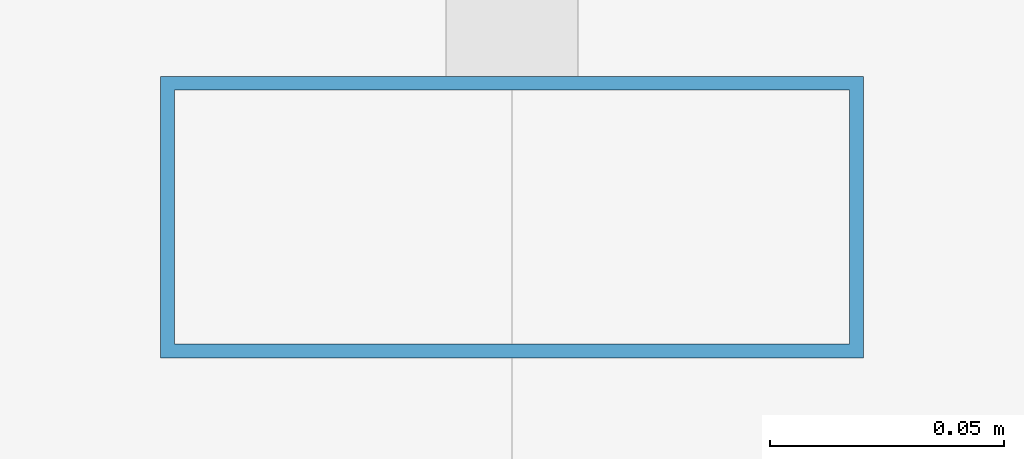
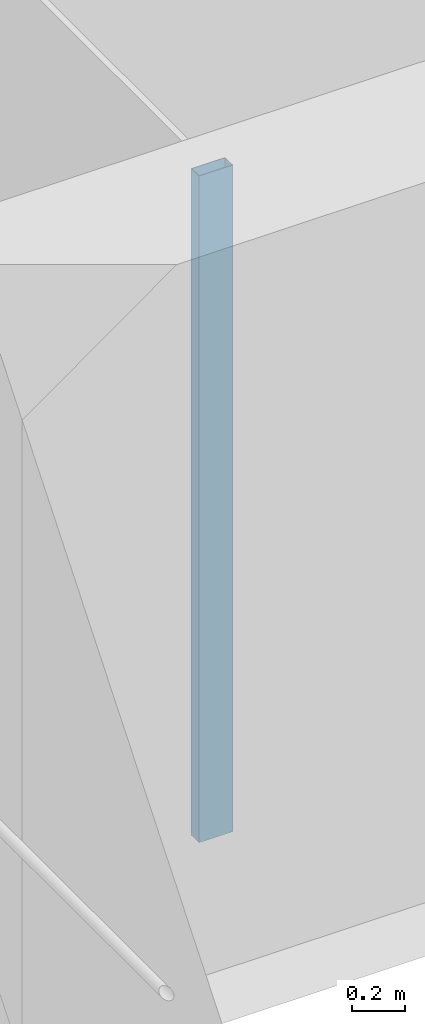
# One storey, part 11 of 46: 1 member, 1 element without a shape of its own.
"""IFC4 building model written with IfcOpenShell, lengths in metres."""

from ifc_helpers import new_model, si_unit, direction, frame, origin, origin_2d, place, context, subcontext, project, spatial, hollow_rectangle, extrude, material, material_profile, profile_set, type_object, element, aggregate, save


model = new_model("IFC4")

# Units and contexts
model_context = context("Model", 3, precision=1e-05, world=origin(), true_north=direction((0.0, 1.0)))
body_context = subcontext(model_context, "Body", "Model", "MODEL_VIEW")
ifc_project = project(units=[si_unit("LENGTHUNIT", "METRE"), si_unit("AREAUNIT", "SQUARE_METRE"), si_unit("VOLUMEUNIT", "CUBIC_METRE"), si_unit("PLANEANGLEUNIT", "RADIAN"), si_unit("MASSUNIT", "GRAM", prefix="KILO")], contexts=[model_context])

# Site, building, storey
site_placement = place(None, origin())
site = spatial("IfcSite", under=ifc_project, at=site_placement, CompositionType="ELEMENT")
building_placement = place(site_placement, origin())
building = spatial("IfcBuilding", under=site, at=building_placement, Name="Altepetl Exchange Towers", CompositionType="ELEMENT")
storey_placement = place(building_placement, frame((0.0, 0.0, 102.800048828125)))
storey = spatial("IfcBuildingStorey", under=building, at=storey_placement, Name="L25", CompositionType="ELEMENT", Elevation=102.800048828125)

# Curtain wall, member
ifc_material_1 = material(Name="Aluminium 6063-T6 glazing", Category="aluminium")
curtain_wall_type = type_object("IfcCurtainWallType", Name="Loggia glazing system", PredefinedType="NOTDEFINED", material=ifc_material_1)
curtain_wall_placement = place(storey_placement, origin())
curtain_wall = element("IfcCurtainWall", 1, at=curtain_wall_placement, inside=storey, type_object=curtain_wall_type, Name="CW1 run", PredefinedType="NOTDEFINED")
ifc_material_2 = material(Name="Aluminium 6063-T6", Category="aluminium")
ifc_material_profile = material_profile(ifc_material_2, hollow_rectangle(XDim=0.06005859375, YDim=0.14990234375, WallThickness=0.0029296875, at=origin_2d()), Name="Mullion 60x150 aluminium")
ifc_profile_set = profile_set([ifc_material_profile], Name="Aluminium 6063-T6")
member_type = type_object("IfcMemberType", Name="Mullion 60x150 aluminium", PredefinedType="MULLION", material=ifc_profile_set)
member_placement = place(storey_placement, frame((42.5, 58.60498046875, 0.0), z_axis=(0.0, 0.0, 1.0), x_axis=(0.0, -1.0, 0.0)))
member = element("IfcMember", 2, at=member_placement, type_object=member_type, Name="MU1 mullion", PredefinedType="MULLION", context=body_context, shape_type="SweptSolid", body=[
    extrude(hollow_rectangle(XDim=0.06005859375, YDim=0.14990234375, WallThickness=0.0029296875, at=origin_2d()), origin(), (0.0, 0.0, 1.0), 3.099853515625),
])
aggregate(curtain_wall, [member])

save(model, "model.ifc")
